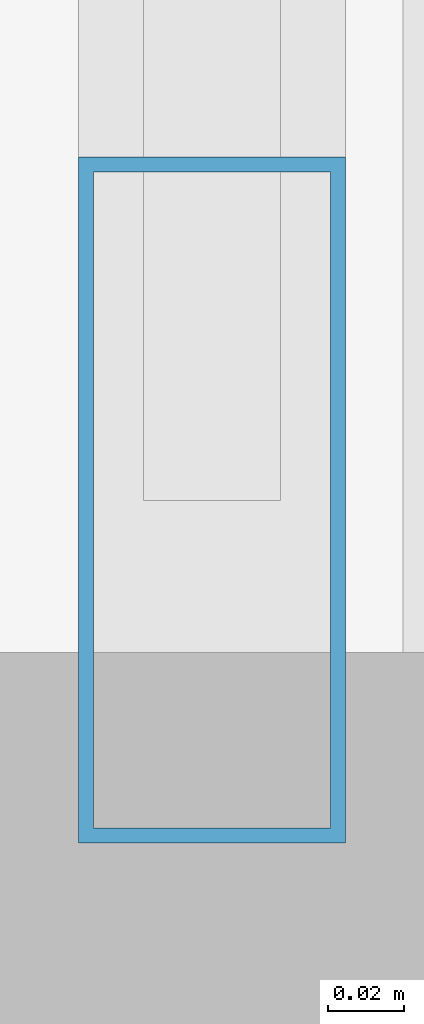
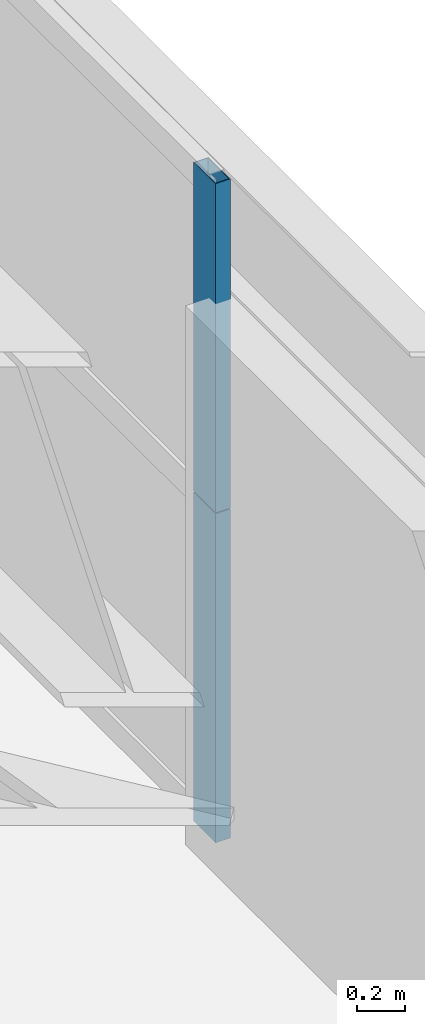
# One storey, part 17 of 44: 2 members, 1 element without a shape of its own.
"""IFC4 building model written with IfcOpenShell, lengths in metres."""

from ifc_helpers import new_model, si_unit, direction, frame, origin, origin_2d, place, context, subcontext, project, spatial, hollow_rectangle, extrude, source, transform, mapped, material, layer, layer_set, material_profile, profile_set, type_object, element, aggregate, save


model = new_model("IFC4")

# Units and contexts
model_context = context("Model", 3, precision=1e-05, world=origin(), true_north=direction((0.0, 1.0)))
body_context = subcontext(model_context, "Body", "Model", "MODEL_VIEW")
ifc_project = project(units=[si_unit("LENGTHUNIT", "METRE"), si_unit("AREAUNIT", "SQUARE_METRE"), si_unit("VOLUMEUNIT", "CUBIC_METRE"), si_unit("PLANEANGLEUNIT", "RADIAN"), si_unit("MASSUNIT", "GRAM", prefix="KILO"), si_unit("THERMODYNAMICTEMPERATUREUNIT", "KELVIN"), si_unit("POWERUNIT", "WATT")], contexts=[model_context])

# Site, building, storey
site_placement = place(None, origin())
site = spatial("IfcSite", under=ifc_project, at=site_placement, CompositionType="ELEMENT")
building_placement = place(site_placement, origin())
building = spatial("IfcBuilding", under=site, at=building_placement, Name="Yuzanri Waterfront Tower", CompositionType="ELEMENT")
storey_placement = place(building_placement, frame((0.0, 0.0, 82.0)))
storey = spatial("IfcBuildingStorey", under=building, at=storey_placement, Name="L21", CompositionType="ELEMENT", Elevation=82.0)

# Curtain wall, members
ifc_material_1 = material(Name="Anodized Architectural Bronze", Category="metal")
ifc_layer = layer(ifc_material_1, 0.159912109375)
ifc_layer_set = layer_set([ifc_layer], Name="Anodized Architectural Bronze")
curtain_wall_type = type_object("IfcCurtainWallType", Name="Anodized Bronze Hotel Lower-Tier Recessed Unitized Curtain Wall 8100", PredefinedType="NOTDEFINED", material=ifc_layer_set)
curtain_wall_placement = place(storey_placement, origin())
curtain_wall = element("IfcCurtainWall", 1, at=curtain_wall_placement, inside=storey, type_object=curtain_wall_type, Name="L21 Curtain Wall CW-L21-EL", PredefinedType="NOTDEFINED")
ifc_material_2 = material(Name="Anodized Architectural Bronze", Category="metal")
ifc_material_profile = material_profile(ifc_material_2, hollow_rectangle(XDim=0.070068359375, YDim=0.179931640625, WallThickness=0.00390625, at=origin_2d()), Name="CWM 70x180")
ifc_profile_set = profile_set([ifc_material_profile], Name="Anodized Architectural Bronze")
member_type = type_object("IfcMemberType", Name="Anodized Bronze Standard Curtain-Wall Mullion 70x180", PredefinedType="MULLION", material=ifc_profile_set)
shared_shape = source(origin(), body_context, "Body", "SweptSolid", [
    extrude(hollow_rectangle(XDim=0.070068359375, YDim=0.179931640625, WallThickness=0.00390625, at=origin_2d()), origin(), (0.0, 0.0, 1.0), 1.657958984375),
])
member_1_placement = place(storey_placement, frame((61.949951171875, 8.090087890625, 0.0), z_axis=(0.0, 0.0, 1.0), x_axis=(1.0, 0.0, 0.0)))
member_1 = element("IfcMember", 2, at=member_1_placement, type_object=member_type, Name="CW-L21-EL Lower Mullion 00", PredefinedType="MULLION", context=body_context, shape_type="MappedRepresentation", body=[
    mapped(shared_shape, transform((0.0, 0.0, 0.0), scale=1.0)),
])
member_2_placement = place(storey_placement, frame((61.949951171875, 8.090087890625, 1.662109375), z_axis=(0.0, 0.0, 1.0), x_axis=(1.0, 0.0, 0.0)))
member_2 = element("IfcMember", 3, at=member_2_placement, type_object=member_type, Name="CW-L21-EL Upper Mullion 00", PredefinedType="MULLION", context=body_context, shape_type="MappedRepresentation", body=[
    mapped(shared_shape, transform((0.0, 0.0, 0.0), scale=1.0)),
])
aggregate(curtain_wall, [member_1, member_2])

save(model, "model.ifc")
